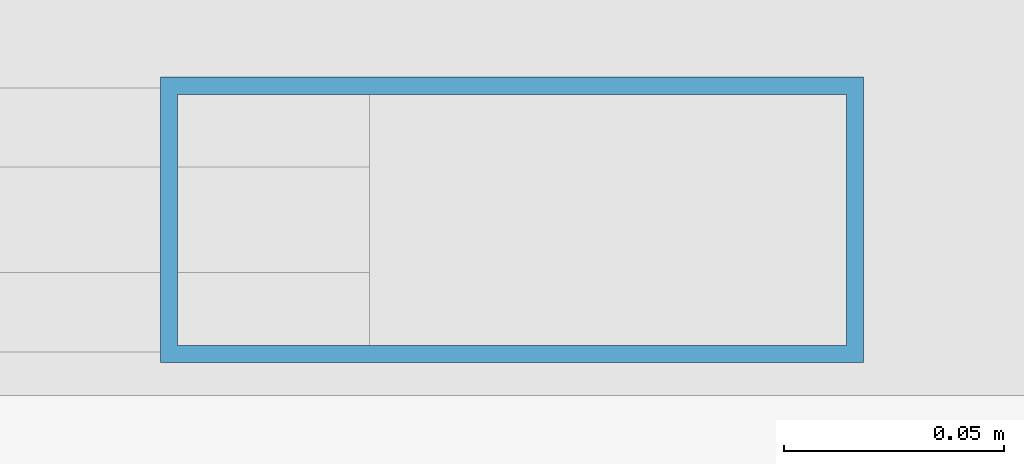
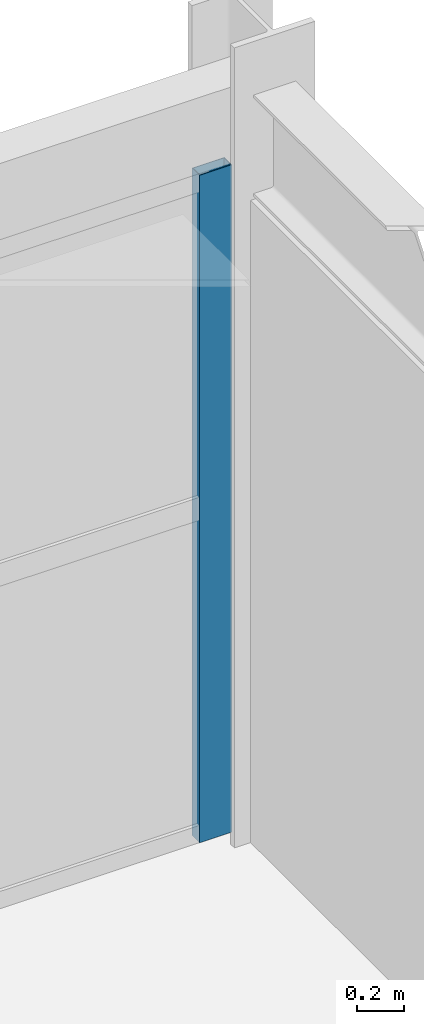
# One storey, part 96 of 147: 1 member, 1 element without a shape of its own.
"""IFC4 building model written with IfcOpenShell, lengths in metres."""

from ifc_helpers import new_model, si_unit, direction, frame, origin, origin_2d, place, context, subcontext, project, spatial, hollow_rectangle, extrude, material, material_profile, profile_set, type_object, element, aggregate, save


model = new_model("IFC4")

# Units and contexts
model_context = context("Model", 3, precision=1e-05, world=origin(), true_north=direction((0.0, 1.0)))
body_context = subcontext(model_context, "Body", "Model", "MODEL_VIEW")
ifc_project = project(units=[si_unit("LENGTHUNIT", "METRE"), si_unit("AREAUNIT", "SQUARE_METRE"), si_unit("VOLUMEUNIT", "CUBIC_METRE"), si_unit("PLANEANGLEUNIT", "RADIAN"), si_unit("MASSUNIT", "GRAM", prefix="KILO")], contexts=[model_context])

# Site, building, storey
site_placement = place(None, origin())
site = spatial("IfcSite", under=ifc_project, at=site_placement, CompositionType="ELEMENT")
building_placement = place(site_placement, origin())
building = spatial("IfcBuilding", under=site, at=building_placement, Name="Karori Crest Natural Sciences Institute", CompositionType="ELEMENT")
storey_placement = place(building_placement, frame((0.0, 0.0, 9.10009765625)))
storey = spatial("IfcBuildingStorey", under=building, at=storey_placement, Name="L02", CompositionType="ELEMENT", Elevation=9.10009765625)

# Curtain wall, member
ifc_material = material(Name="Anodised architectural aluminium 6063-T6", Category="aluminium")
curtain_wall_type = type_object("IfcCurtainWallType", Name="CWT-20", PredefinedType="NOTDEFINED", material=ifc_material)
curtain_wall_placement = place(storey_placement, origin())
curtain_wall = element("IfcCurtainWall", 1, at=curtain_wall_placement, inside=storey, type_object=curtain_wall_type, Name="Curtain wall CW-0321", PredefinedType="NOTDEFINED")
ifc_material_profile = material_profile(ifc_material, hollow_rectangle(XDim=0.06494140625, YDim=0.159912109375, WallThickness=0.00390625, at=origin_2d()), Name="CWM160x65x4")
ifc_profile_set = profile_set([ifc_material_profile], Name="Anodised architectural aluminium 6063-T6")
member_type = type_object("IfcMemberType", Name="CWM-01", PredefinedType="MULLION", material=ifc_profile_set)
member_placement = place(storey_placement, frame((161.969482421875, 20.5400390625, 0.0), z_axis=(0.0, 0.0, 1.0), x_axis=(0.0, 1.0, 0.0)))
member = element("IfcMember", 2, at=member_placement, type_object=member_type, Name="CW-0321 mullion 3", PredefinedType="MULLION", context=body_context, shape_type="SweptSolid", body=[
    extrude(hollow_rectangle(XDim=0.06494140625, YDim=0.159912109375, WallThickness=0.00390625, at=origin_2d()), origin(), (0.0, 0.0, 1.0), 3.5048828125),
])
aggregate(curtain_wall, [member])

save(model, "model.ifc")
